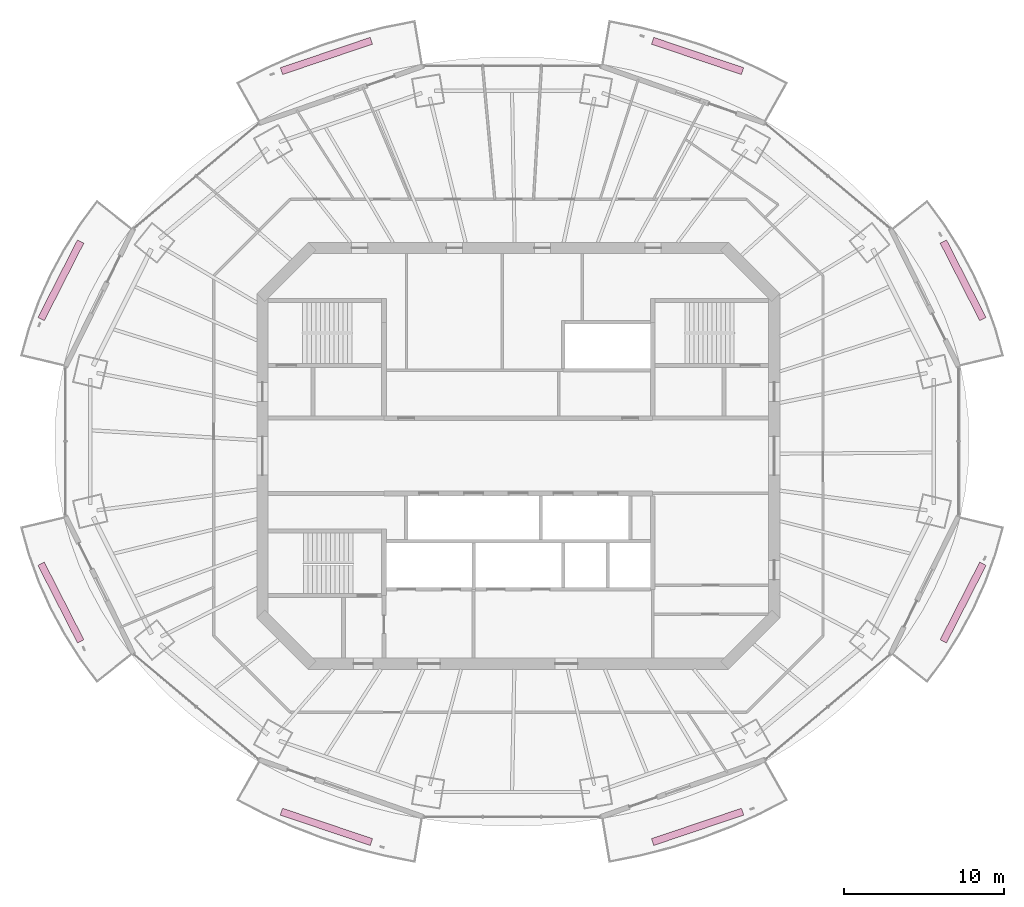
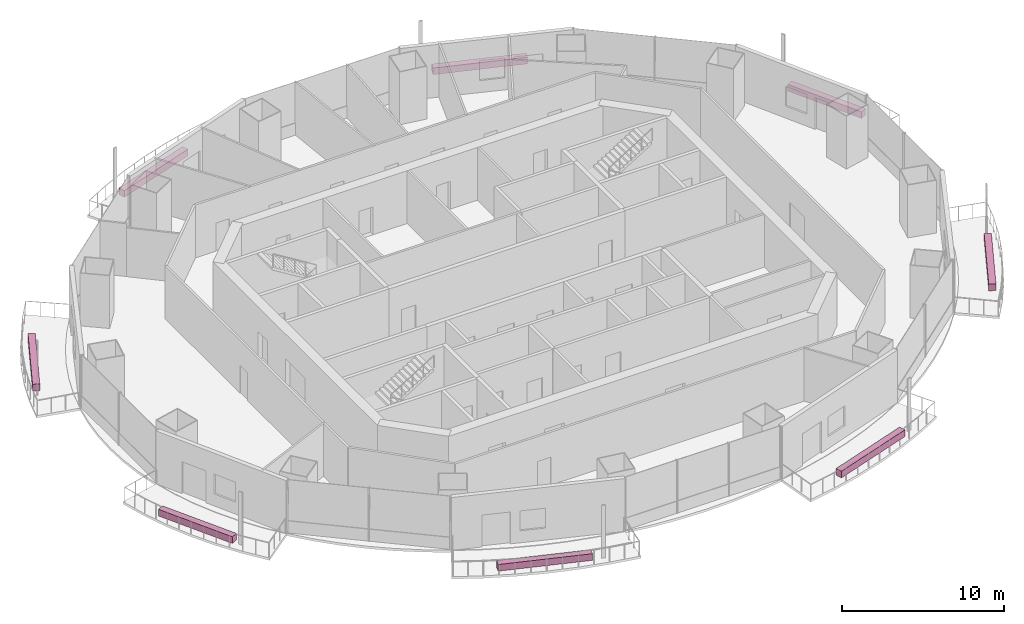
# One storey, part 16 of 16: 8 furnishings.
"""IFC4 building model written with IfcOpenShell, lengths in metres."""

import ifcopenshell
import ifcopenshell.guid

model = None  # the IFC model being written
_history = None  # IfcOwnerHistory: only IFC2X3 demands one
_inside = {}  # id of a spatial element -> (the spatial element, [elements in it])
_under = {}  # id of a project, library or spatial element -> (it, [spatial elements below it])
_declared = {}  # id of a project -> (the project, [libraries it declares])
_typed = {}  # id of a type object -> (the type object, [elements of that type])
_made_of = {}  # id of a material, layer set ... -> (it, [elements and type objects made of it])


def new_model(schema):
    """Start an empty IFC model of exactly this schema.

    Asked for "IFC4X3", IfcOpenShell would pick the latest addendum, in which some entities
    have other attributes; the version numbers below select the first issue.
    IFC2X3 requires an IfcOwnerHistory on every rooted entity: one is made here for all.
    """
    global model, _history
    if schema == "IFC4X3":
        model = ifcopenshell.file(schema_version=(4, 3, 0, 0))
    else:
        model = ifcopenshell.file(schema=schema)
    _inside.clear()
    _under.clear()
    _declared.clear()
    _typed.clear()
    _made_of.clear()
    _history = None
    if model.schema == "IFC2X3":
        org = make("IfcOrganization", Name="unknown")
        user = make(
            "IfcPersonAndOrganization",
            ThePerson=make("IfcPerson", FamilyName="unknown"),
            TheOrganization=org,
        )
        app = make(
            "IfcApplication",
            ApplicationDeveloper=org,
            Version="unknown",
            ApplicationFullName="unknown",
            ApplicationIdentifier="unknown",
        )
        _history = make(
            "IfcOwnerHistory",
            OwningUser=user,
            OwningApplication=app,
            ChangeAction="ADDED",
            CreationDate=0,
        )
    return model


def make(cls, **values):
    """One entity of the class cls with the attributes given. An attribute that is None is left unset."""
    return model.create_entity(
        cls, **{name: value for name, value in values.items() if value is not None}
    )


def rooted(cls, **values):
    """An entity with a GlobalId (a new one), such as an element, a storey or a relation."""
    return make(cls, GlobalId=ifcopenshell.guid.new(), OwnerHistory=_history, **values)


def si_unit(unit_type, name, prefix=None):
    """IfcSIUnit, for example si_unit("LENGTHUNIT", "METRE", prefix="MILLI")."""
    return make("IfcSIUnit", UnitType=unit_type, Prefix=prefix, Name=name)


def assignment(units):
    """IfcUnitAssignment: the units of a project."""
    return None if units is None else make("IfcUnitAssignment", Units=units)


def point(xyz):
    """IfcCartesianPoint."""
    return None if xyz is None else make("IfcCartesianPoint", Coordinates=xyz)


def direction(xyz):
    """IfcDirection."""
    return None if xyz is None else make("IfcDirection", DirectionRatios=xyz)


def frame(location, z_axis=None, x_axis=None):
    """IfcAxis2Placement3D, a coordinate frame: its origin and axes. An axis left out is left unset."""
    return make(
        "IfcAxis2Placement3D",
        Location=point(location),
        Axis=direction(z_axis),
        RefDirection=direction(x_axis),
    )


def frame_2d(location, x_axis=None):
    """IfcAxis2Placement2D, a coordinate frame in the plane: its origin and x axis."""
    return make(
        "IfcAxis2Placement2D", Location=point(location), RefDirection=direction(x_axis)
    )


def origin():
    """The frame at (0, 0, 0) with its axes left unset."""
    return frame((0.0, 0.0, 0.0))


def origin_2d():
    """The frame at (0, 0) in the plane with its x axis left unset."""
    return frame_2d((0.0, 0.0))


def place(relative_to, where):
    """IfcLocalPlacement: puts the frame where relative to a parent placement (None: the world)."""
    return make(
        "IfcLocalPlacement", PlacementRelTo=relative_to, RelativePlacement=where
    )


def context(
    kind, dimensions, precision=None, world=None, true_north=None, identifier=None
):
    """IfcGeometricRepresentationContext, for example the 3D "Model" context."""
    return make(
        "IfcGeometricRepresentationContext",
        ContextIdentifier=identifier,
        ContextType=kind,
        CoordinateSpaceDimension=dimensions,
        Precision=precision,
        WorldCoordinateSystem=world,
        TrueNorth=true_north,
    )


def subcontext(parent, identifier, kind, view, scale=None):
    """IfcGeometricRepresentationSubContext, for example "Body" below "Model"."""
    return make(
        "IfcGeometricRepresentationSubContext",
        ContextIdentifier=identifier,
        ContextType=kind,
        ParentContext=parent,
        TargetScale=scale,
        TargetView=view,
    )


def project(units=None, contexts=None):
    """IfcProject with its units and contexts."""
    return rooted(
        "IfcProject",
        Name="project",
        RepresentationContexts=contexts,
        UnitsInContext=assignment(units),
    )


def spatial(cls, under=None, at=None, **own):
    """A site, building, storey or space (cls), placed at a placement, below another one or the project."""
    s = rooted(cls, ObjectPlacement=at, **own)
    if under is not None:
        _under.setdefault(under.id(), (under, []))[1].append(s)
    return s


def profile(cls, at=None, kind="AREA", **sizes):
    """A parametric profile (cls). Its sizes go by their IFC names, for example OverallWidth=200.0."""
    return make(cls, ProfileType=kind, Position=at, **sizes)


def rectangle(**sizes):
    """IfcRectangleProfileDef."""
    return profile("IfcRectangleProfileDef", **sizes)


def extrude(swept, where, along, depth):
    """IfcExtrudedAreaSolid: the profile swept, set in the frame where, extruded along a direction by depth."""
    return make(
        "IfcExtrudedAreaSolid",
        SweptArea=swept,
        Position=where,
        ExtrudedDirection=direction(along),
        Depth=depth,
    )


def shape(context_of_items, identifier, shape_type, items):
    """IfcShapeRepresentation: the items that make up one representation, for example the "Body"."""
    return make(
        "IfcShapeRepresentation",
        ContextOfItems=context_of_items,
        RepresentationIdentifier=identifier,
        RepresentationType=shape_type,
        Items=items,
    )


def material(Name=None, Category=None):
    """IfcMaterial."""
    return make("IfcMaterial", Name=Name, Category=Category)


def made_of(thing, what):
    """Note that an element or type object is made of a material, layer set ...; save() writes the relation."""
    if what is not None:
        _made_of.setdefault(what.id(), (what, []))[1].append(thing)
    return thing


def type_object(cls, material=None, **own):
    """A type object (cls), such as IfcWallType, which elements share."""
    return made_of(rooted(cls, **own), material)


def element(
    cls,
    number,
    at=None,
    inside=None,
    cuts=None,
    type_object=None,
    material=None,
    context=None,
    identifier="Body",
    shape_type=None,
    held_by="IfcProductDefinitionShape",
    body=None,
    shapes=None,
    **own,
):
    """One element of the class cls, such as IfcWall. Its Tag is "e" and its number.

    at: its placement. inside: the storey or other place that contains it. cuts: it is an
    opening in that element (IfcRelVoidsElement). A single representation is given by context,
    identifier, shape_type and body (its items); several are given by shapes. held_by: the class
    of the entity that holds the representations. save() writes the other relations.
    """
    e = rooted(cls, Tag="e%d" % number, ObjectPlacement=at, **own)
    if body is not None:
        shapes = [shape(context, identifier, shape_type, body)]
    if shapes is not None:
        e.Representation = make(held_by, Representations=shapes)
    if inside is not None:
        _inside.setdefault(inside.id(), (inside, []))[1].append(e)
    if cuts is not None:
        rooted(
            "IfcRelVoidsElement", RelatingBuildingElement=cuts, RelatedOpeningElement=e
        )
    if type_object is not None:
        _typed.setdefault(type_object.id(), (type_object, []))[1].append(e)
    return made_of(e, material)


def aggregate(whole, parts):
    """IfcRelAggregates: a whole, such as a stair, and the parts it consists of."""
    return rooted("IfcRelAggregates", RelatingObject=whole, RelatedObjects=parts)


def save(model, path):
    """Write the relations noted so far, then the file.

    IfcRelAggregates (storeys below a building ...), IfcRelContainedInSpatialStructure (elements
    in a storey), IfcRelDefinesByType, IfcRelAssociatesMaterial and IfcRelDeclares: one each for
    every whole, place, type object, material and project.
    """
    for whole, parts in _under.values():
        aggregate(whole, parts)
    for where, things in _inside.values():
        rooted(
            "IfcRelContainedInSpatialStructure",
            RelatedElements=things,
            RelatingStructure=where,
        )
    for kind, things in _typed.values():
        rooted("IfcRelDefinesByType", RelatedObjects=things, RelatingType=kind)
    for what, things in _made_of.values():
        rooted("IfcRelAssociatesMaterial", RelatedObjects=things, RelatingMaterial=what)
    for by, libraries in _declared.values():
        rooted("IfcRelDeclares", RelatingContext=by, RelatedDefinitions=libraries)
    model.write(path)


model = new_model("IFC4")

# Units and contexts
model_context = context("Model", 3, precision=1e-05, world=origin(), true_north=direction((0.0, 1.0)))
body_context = subcontext(model_context, "Body", "Model", "MODEL_VIEW")
ifc_project = project(units=[si_unit("LENGTHUNIT", "METRE"), si_unit("AREAUNIT", "SQUARE_METRE"), si_unit("VOLUMEUNIT", "CUBIC_METRE"), si_unit("PLANEANGLEUNIT", "RADIAN"), si_unit("MASSUNIT", "GRAM", prefix="KILO")], contexts=[model_context])

# Site, building, storey
site_placement = place(None, origin())
site = spatial("IfcSite", under=ifc_project, at=site_placement, CompositionType="ELEMENT")
building_placement = place(site_placement, origin())
building = spatial("IfcBuilding", under=site, at=building_placement, Name="Marenthal Gate Tower", CompositionType="ELEMENT")
storey_placement = place(building_placement, frame((0.0, 0.0, 296.949951171875)))
storey = spatial("IfcBuildingStorey", under=building, at=storey_placement, Name="L66", CompositionType="ELEMENT", Elevation=296.949951171875)

# Furnishings
ifc_material = material(Name="Planting soil and foliage", Category="planting")
furnishing_element_type = type_object("IfcFurnishingElementType", Name="Balcony PLANTER trough", material=ifc_material)
furnishing_1_placement = place(storey_placement, frame((27.814208984375, 10.977783203125, -0.0400390625), z_axis=(0.0, 0.0, 1.0), x_axis=(-0.454321368987, 0.890837860489, 0.0)))
element("IfcFurnishingElement", 1, at=furnishing_1_placement, inside=storey, type_object=furnishing_element_type, Name="Balcony PLANTER L66 bay 1", ObjectType="PLANTER", context=body_context, shape_type="SweptSolid", body=[
    extrude(rectangle(XDim=5.44287109375, YDim=0.449951171875, at=origin_2d()), origin(), (0.0, 0.0, 1.0), 0.5),
])
for number, where, z_axis, x_axis, name in (
    (2, (11.20703125, 25.008056640625, -0.0400390625), (0.0, 0.0, 1.0), (-0.947447903765, 0.3199100962, 0.0), "Balcony PLANTER L66 bay 3"),
    (3, (-12.007080078125, 25.008056640625, -0.0400390625), (0.0, 0.0, 1.0), (-0.947447903765, -0.3199100962, 0.0), "Balcony PLANTER L66 bay 5"),
):
    element("IfcFurnishingElement", number, at=place(storey_placement, frame(where, z_axis=z_axis, x_axis=x_axis)), inside=storey, type_object=furnishing_element_type, Name=name, ObjectType="PLANTER", context=body_context, shape_type="SweptSolid", body=[
        extrude(rectangle(XDim=5.9404296875, YDim=0.449951171875, at=origin_2d()), origin(), (0.0, 0.0, 1.0), 0.5),
    ])
for number, where, z_axis, x_axis, name in (
    (4, (-28.6142578125, 10.977783203125, -0.0400390625), (0.0, 0.0, 1.0), (-0.454321368987, -0.890837860489, 0.0), "Balcony PLANTER L66 bay 7"),
    (5, (-28.6142578125, -9.177734375, -0.0400390625), (0.0, 0.0, 1.0), (0.454321368987, -0.890837860489, 0.0), "Balcony PLANTER L66 bay 9"),
):
    element("IfcFurnishingElement", number, at=place(storey_placement, frame(where, z_axis=z_axis, x_axis=x_axis)), inside=storey, type_object=furnishing_element_type, Name=name, ObjectType="PLANTER", context=body_context, shape_type="SweptSolid", body=[
        extrude(rectangle(XDim=5.44287109375, YDim=0.449951171875, at=origin_2d()), origin(), (0.0, 0.0, 1.0), 0.5),
    ])
for number, where, z_axis, x_axis, name in (
    (6, (-12.007080078125, -23.2080078125, -0.0400390625), (0.0, 0.0, 1.0), (0.947447903765, -0.3199100962, 0.0), "Balcony PLANTER L66 bay 11"),
    (7, (11.20703125, -23.2080078125, -0.0400390625), (0.0, 0.0, 1.0), (0.947447903765, 0.3199100962, 0.0), "Balcony PLANTER L66 bay 13"),
):
    element("IfcFurnishingElement", number, at=place(storey_placement, frame(where, z_axis=z_axis, x_axis=x_axis)), inside=storey, type_object=furnishing_element_type, Name=name, ObjectType="PLANTER", context=body_context, shape_type="SweptSolid", body=[
        extrude(rectangle(XDim=5.9404296875, YDim=0.449951171875, at=origin_2d()), origin(), (0.0, 0.0, 1.0), 0.5),
    ])
furnishing_2_placement = place(storey_placement, frame((27.814208984375, -9.177734375, -0.0400390625), z_axis=(0.0, 0.0, 1.0), x_axis=(0.454321368987, 0.890837860489, 0.0)))
element("IfcFurnishingElement", 8, at=furnishing_2_placement, inside=storey, type_object=furnishing_element_type, Name="Balcony PLANTER L66 bay 15", ObjectType="PLANTER", context=body_context, shape_type="SweptSolid", body=[
    extrude(rectangle(XDim=5.44287109375, YDim=0.449951171875, at=origin_2d()), origin(), (0.0, 0.0, 1.0), 0.5),
])

save(model, "model.ifc")
